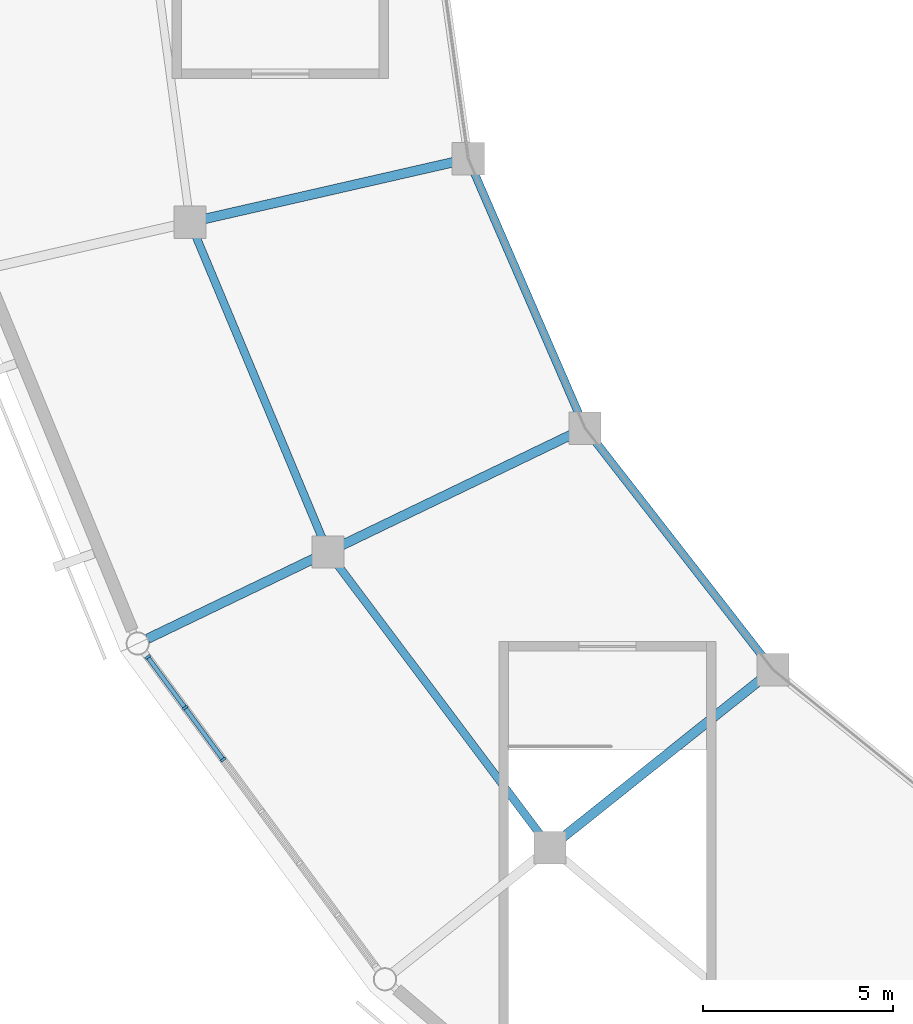
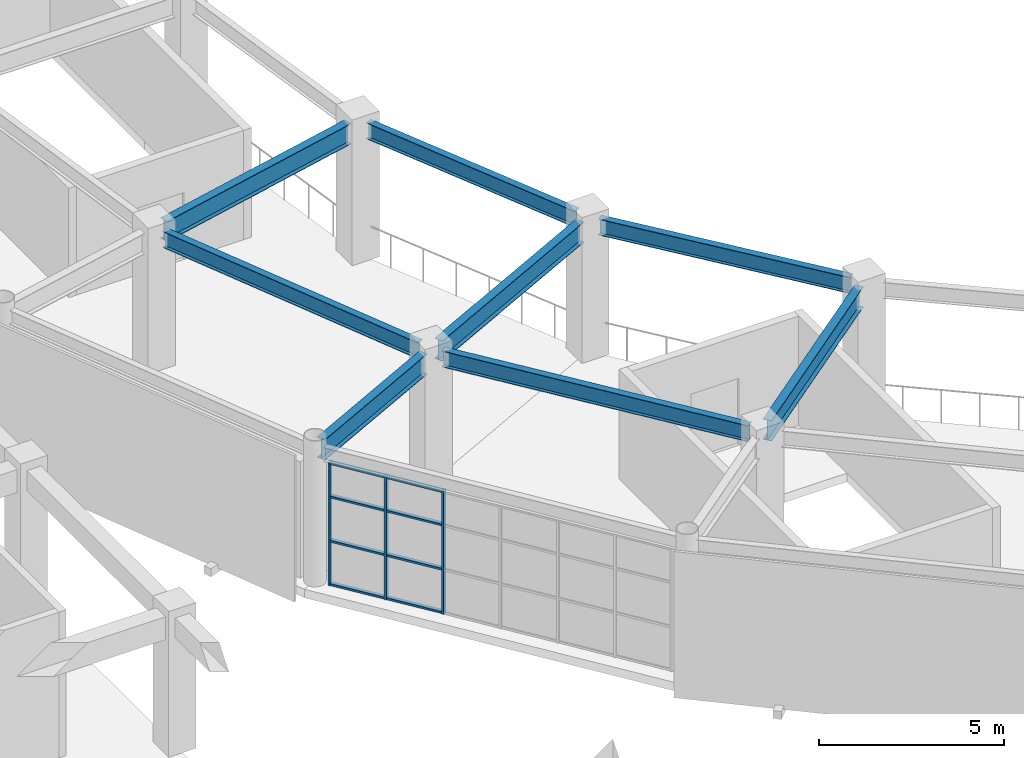
# One storey, part 24 of 112: 11 members, 8 beams, 1 element without a shape of its own.
"""IFC4 building model written with IfcOpenShell, lengths in metres."""

from ifc_helpers import new_model, si_unit, direction, frame, origin, origin_2d, place, context, subcontext, project, spatial, rectangle, i_section, extrude, material, material_profile, profile_set, type_object, element, aggregate, save


model = new_model("IFC4")

# Units and contexts
model_context = context("Model", 3, precision=1e-05, world=origin(), true_north=direction((0.0, 1.0)))
body_context = subcontext(model_context, "Body", "Model", "MODEL_VIEW")
ifc_project = project(units=[si_unit("LENGTHUNIT", "METRE"), si_unit("AREAUNIT", "SQUARE_METRE"), si_unit("VOLUMEUNIT", "CUBIC_METRE"), si_unit("PLANEANGLEUNIT", "RADIAN"), si_unit("MASSUNIT", "GRAM", prefix="KILO")], contexts=[model_context])

# Site, building, storey
site_placement = place(None, origin())
site = spatial("IfcSite", under=ifc_project, at=site_placement, CompositionType="ELEMENT")
building_placement = place(site_placement, origin())
building = spatial("IfcBuilding", under=site, at=building_placement, Name="Cuetzalor Civic Arena", CompositionType="ELEMENT")
storey_placement = place(building_placement, frame((0.0, 0.0, 11.39990234375)))
storey = spatial("IfcBuildingStorey", under=building, at=storey_placement, Name="L02", CompositionType="ELEMENT", Elevation=11.39990234375)

# Curtain wall, members
ifc_material_1 = material(Name="Anodised dark bronze aluminium and low-E solar glass", Category="aluminium")
curtain_wall_type = type_object("IfcCurtainWallType", Name="UnitisedCW_10150x4050", PredefinedType="USERDEFINED", material=ifc_material_1)
curtain_wall_placement = place(storey_placement, origin())
curtain_wall = element("IfcCurtainWall", 1, at=curtain_wall_placement, inside=storey, type_object=curtain_wall_type, Name="Drum Triangle Foyer Curtain Wall L02-039", ObjectType="UNITISED CURTAIN WALL", PredefinedType="USERDEFINED")
ifc_material_2 = material(Name="Anodised dark bronze aluminium", Category="aluminium")
ifc_material_profile_1 = material_profile(ifc_material_2, rectangle(XDim=0.06494140625, YDim=0.14990234375, at=origin_2d()), Name="ALU MULLION 65x150")
ifc_profile_set_1 = profile_set([ifc_material_profile_1], Name="Anodised dark bronze aluminium")
member_type_1 = type_object("IfcMemberType", Name="CurtainWallMullion_60x150", PredefinedType="MULLION", material=ifc_profile_set_1)
member_1_placement = place(storey_placement, frame((-46.90087890625, -23.2490234375, 0.0), z_axis=(0.0, 0.0, 1.0), x_axis=(-0.59292931222, 0.805254513002, 0.0)))
member_1 = element("IfcMember", 2, at=member_1_placement, type_object=member_type_1, Name="CW-12 mullion 5", PredefinedType="MULLION", context=body_context, shape_type="SweptSolid", body=[
    extrude(rectangle(XDim=0.06494140625, YDim=0.14990234375, at=origin_2d()), origin(), (0.0, 0.0, 1.0), 4.052978515625),
])
member_2_placement = place(storey_placement, frame((-47.9033203125, -21.8876953125, 0.0), z_axis=(0.0, 0.0, 1.0), x_axis=(-0.59292931222, 0.805254513002, 0.0)))
member_2 = element("IfcMember", 3, at=member_2_placement, type_object=member_type_1, Name="CW-12 mullion 6", PredefinedType="MULLION", context=body_context, shape_type="SweptSolid", body=[
    extrude(rectangle(XDim=0.06494140625, YDim=0.14990234375, at=origin_2d()), origin(), (0.0, 0.0, 1.0), 4.052978515625),
])
member_3_placement = place(storey_placement, frame((-48.886474609375, -20.552490234375, 0.0), z_axis=(0.0, 0.0, 1.0), x_axis=(-0.59292931222, 0.805254513002, 0.0)))
member_3 = element("IfcMember", 4, at=member_3_placement, type_object=member_type_1, Name="CW-12 mullion 7", PredefinedType="MULLION", context=body_context, shape_type="SweptSolid", body=[
    extrude(rectangle(XDim=0.06494140625, YDim=0.14990234375, at=origin_2d()), origin(), (0.0, 0.0, 1.0), 4.052978515625),
])
ifc_material_3 = material(Name="Anodised dark bronze aluminium", Category="aluminium")
ifc_material_profile_2 = material_profile(ifc_material_3, rectangle(XDim=0.1201171875, YDim=0.06494140625, at=origin_2d()), Name="ALU TRANSOM 65x120")
ifc_profile_set_2 = profile_set([ifc_material_profile_2], Name="Anodised dark bronze aluminium")
member_type_2 = type_object("IfcMemberType", Name="CurtainWallTransom_60x120", PredefinedType="USERDEFINED", material=ifc_profile_set_2)
member_4_placement = place(storey_placement, frame((-46.920166015625, -23.222900390625, 0.03271484375), z_axis=(-0.592912120819, 0.805267171183, 0.0), x_axis=(-0.805267171183, -0.592912120819, 0.0)))
member_4 = element("IfcMember", 5, at=member_4_placement, type_object=member_type_2, Name="CW-12 transom 5.1", ObjectType="TRANSOM", PredefinedType="USERDEFINED", context=body_context, shape_type="SweptSolid", body=[
    extrude(rectangle(XDim=0.1201171875, YDim=0.06494140625, at=origin_2d()), origin(), (0.0, 0.0, 1.0), 1.625732421875),
])
member_5_placement = place(storey_placement, frame((-46.920166015625, -23.222900390625, 1.458984375), z_axis=(-0.592912120819, 0.805267171183, 0.0), x_axis=(-0.805267171183, -0.592912120819, 0.0)))
member_5 = element("IfcMember", 6, at=member_5_placement, type_object=member_type_2, Name="CW-12 transom 5.2", ObjectType="TRANSOM", PredefinedType="USERDEFINED", context=body_context, shape_type="SweptSolid", body=[
    extrude(rectangle(XDim=0.1201171875, YDim=0.06494140625, at=origin_2d()), origin(), (0.0, 0.0, 1.0), 1.625732421875),
])
member_6_placement = place(storey_placement, frame((-46.920166015625, -23.222900390625, 2.918212890625), z_axis=(-0.592912120819, 0.805267171183, 0.0), x_axis=(-0.805267171183, -0.592912120819, 0.0)))
member_6 = element("IfcMember", 7, at=member_6_placement, type_object=member_type_2, Name="CW-12 transom 5.3", ObjectType="TRANSOM", PredefinedType="USERDEFINED", context=body_context, shape_type="SweptSolid", body=[
    extrude(rectangle(XDim=0.1201171875, YDim=0.06494140625, at=origin_2d()), origin(), (0.0, 0.0, 1.0), 1.625732421875),
])
member_7_placement = place(storey_placement, frame((-46.920166015625, -23.222900390625, 4.0205078125), z_axis=(-0.592912120819, 0.805267171183, 0.0), x_axis=(-0.805267171183, -0.592912120819, 0.0)))
member_7 = element("IfcMember", 8, at=member_7_placement, type_object=member_type_2, Name="CW-12 transom 5.4", ObjectType="TRANSOM", PredefinedType="USERDEFINED", context=body_context, shape_type="SweptSolid", body=[
    extrude(rectangle(XDim=0.1201171875, YDim=0.06494140625, at=origin_2d()), origin(), (0.0, 0.0, 1.0), 1.625732421875),
])
member_8_placement = place(storey_placement, frame((-47.922607421875, -21.861328125, 0.03271484375), z_axis=(-0.592963756922, 0.805229149359, 0.0), x_axis=(-0.805229149359, -0.592963756922, 0.0)))
member_8 = element("IfcMember", 9, at=member_8_placement, type_object=member_type_2, Name="CW-12 transom 6.1", ObjectType="TRANSOM", PredefinedType="USERDEFINED", context=body_context, shape_type="SweptSolid", body=[
    extrude(rectangle(XDim=0.1201171875, YDim=0.06494140625, at=origin_2d()), origin(), (0.0, 0.0, 1.0), 1.593017578125),
])
member_9_placement = place(storey_placement, frame((-47.922607421875, -21.861328125, 1.458984375), z_axis=(-0.592963756922, 0.805229149359, 0.0), x_axis=(-0.805229149359, -0.592963756922, 0.0)))
member_9 = element("IfcMember", 10, at=member_9_placement, type_object=member_type_2, Name="CW-12 transom 6.2", ObjectType="TRANSOM", PredefinedType="USERDEFINED", context=body_context, shape_type="SweptSolid", body=[
    extrude(rectangle(XDim=0.1201171875, YDim=0.06494140625, at=origin_2d()), origin(), (0.0, 0.0, 1.0), 1.593017578125),
])
member_10_placement = place(storey_placement, frame((-47.922607421875, -21.861328125, 2.918212890625), z_axis=(-0.592963756922, 0.805229149359, 0.0), x_axis=(-0.805229149359, -0.592963756922, 0.0)))
member_10 = element("IfcMember", 11, at=member_10_placement, type_object=member_type_2, Name="CW-12 transom 6.3", ObjectType="TRANSOM", PredefinedType="USERDEFINED", context=body_context, shape_type="SweptSolid", body=[
    extrude(rectangle(XDim=0.1201171875, YDim=0.06494140625, at=origin_2d()), origin(), (0.0, 0.0, 1.0), 1.593017578125),
])
member_11_placement = place(storey_placement, frame((-47.922607421875, -21.861328125, 4.0205078125), z_axis=(-0.592963756922, 0.805229149359, 0.0), x_axis=(-0.805229149359, -0.592963756922, 0.0)))
member_11 = element("IfcMember", 12, at=member_11_placement, type_object=member_type_2, Name="CW-12 transom 6.4", ObjectType="TRANSOM", PredefinedType="USERDEFINED", context=body_context, shape_type="SweptSolid", body=[
    extrude(rectangle(XDim=0.1201171875, YDim=0.06494140625, at=origin_2d()), origin(), (0.0, 0.0, 1.0), 1.593017578125),
])
aggregate(curtain_wall, [member_1, member_2, member_3, member_4, member_5, member_6, member_7, member_8, member_9, member_10, member_11])

# Beams
ifc_material_4 = material(Name="Steel S355", Category="steel")
ifc_material_profile_3 = material_profile(ifc_material_4, i_section(OverallWidth=0.208984375, OverallDepth=0.532958984375, WebThickness=0.01025390625, FlangeThickness=0.015625, at=origin_2d()), Name="W530x92")
ifc_profile_set_3 = profile_set([ifc_material_profile_3], Name="Steel S355")
beam_type_1 = type_object("IfcBeamType", Name="SteelCollarGirder_W530", PredefinedType="BEAM", material=ifc_profile_set_3)
beam_1_placement = place(storey_placement, frame((-47.628662109375, -9.46484375, 4.253662109375), z_axis=(0.385813116722, -0.922576955579, 0.0), x_axis=(0.922576955579, 0.385813116722, 0.0)))
element("IfcBeam", 13, at=beam_1_placement, inside=storey, type_object=beam_type_1, Name="Drum Concourse Ring Girder L02-S16", PredefinedType="BEAM", context=body_context, shape_type="SweptSolid", body=[
    extrude(i_section(OverallWidth=0.208984375, OverallDepth=0.532958984375, WebThickness=0.01025390625, FlangeThickness=0.015625, at=origin_2d()), origin(), (0.0, 0.0, 1.0), 8.65283203125),
])
beam_2_placement = place(storey_placement, frame((-40.31640625, -7.784912109375, 4.253662109375), z_axis=(0.39772689401, -0.917503851644, 0.0), x_axis=(0.917503851644, 0.39772689401, 0.0)))
element("IfcBeam", 14, at=beam_2_placement, inside=storey, type_object=beam_type_1, Name="Bowl Inner Ring Girder L02-S16", PredefinedType="BEAM", context=body_context, shape_type="SweptSolid", body=[
    extrude(i_section(OverallWidth=0.208984375, OverallDepth=0.532958984375, WebThickness=0.01025390625, FlangeThickness=0.015625, at=origin_2d()), origin(), (0.0, 0.0, 1.0), 6.9970703125),
])
beam_3_placement = place(storey_placement, frame((-43.92529296875, -18.085205078125, 4.253662109375), z_axis=(0.600491348624, -0.799631252658, 0.0), x_axis=(0.799631252658, 0.600491348624, 0.0)))
element("IfcBeam", 15, at=beam_3_placement, inside=storey, type_object=beam_type_1, Name="Drum Concourse Ring Girder L02-S17", PredefinedType="BEAM", context=body_context, shape_type="SweptSolid", body=[
    extrude(i_section(OverallWidth=0.208984375, OverallDepth=0.532958984375, WebThickness=0.01025390625, FlangeThickness=0.015625, at=origin_2d()), origin(), (0.0, 0.0, 1.0), 8.9814453125),
])
beam_4_placement = place(storey_placement, frame((-37.169189453125, -14.819091796875, 4.253662109375), z_axis=(0.614261103096, -0.789102843249, 0.0), x_axis=(0.789102843249, 0.614261103096, 0.0)))
element("IfcBeam", 16, at=beam_4_placement, inside=storey, type_object=beam_type_1, Name="Bowl Inner Ring Girder L02-S17", PredefinedType="BEAM", context=body_context, shape_type="SweptSolid", body=[
    extrude(i_section(OverallWidth=0.208984375, OverallDepth=0.532958984375, WebThickness=0.01025390625, FlangeThickness=0.015625, at=origin_2d()), origin(), (0.0, 0.0, 1.0), 7.329345703125),
])
ifc_material_5 = material(Name="Steel S355", Category="steel")
ifc_material_profile_4 = material_profile(ifc_material_5, i_section(OverallWidth=0.2529296875, OverallDepth=0.677978515625, WebThickness=0.01171875, FlangeThickness=0.016357421875, at=origin_2d()), Name="W690x125")
ifc_profile_set_4 = profile_set([ifc_material_profile_4], Name="Steel S355")
beam_type_2 = type_object("IfcBeamType", Name="SteelPrimaryGirder_W690", PredefinedType="BEAM", material=ifc_profile_set_4)
beam_5_placement = place(storey_placement, frame((-40.810546875, -7.53466796875, 4.18115234375), z_axis=(-0.974931535482, -0.222505058645, 0.0), x_axis=(0.222505058645, -0.974931535482, 0.0)))
element("IfcBeam", 17, at=beam_5_placement, inside=storey, type_object=beam_type_2, Name="Drum Inner Radial Girder L02-R16", PredefinedType="BEAM", context=body_context, shape_type="SweptSolid", body=[
    extrude(i_section(OverallWidth=0.2529296875, OverallDepth=0.677978515625, WebThickness=0.01171875, FlangeThickness=0.016357421875, at=origin_2d()), origin(), (0.0, 0.0, 1.0), 6.77978515625),
])
beam_6_placement = place(storey_placement, frame((-44.4716796875, -17.9453125, 4.18115234375), z_axis=(-0.900964883231, -0.433892013275, 0.0), x_axis=(0.433892013275, -0.900964883231, 0.0)))
element("IfcBeam", 18, at=beam_6_placement, inside=storey, type_object=beam_type_2, Name="Drum Radial Girder L02-R17", PredefinedType="BEAM", context=body_context, shape_type="SweptSolid", body=[
    extrude(i_section(OverallWidth=0.2529296875, OverallDepth=0.677978515625, WebThickness=0.01171875, FlangeThickness=0.016357421875, at=origin_2d()), origin(), (0.0, 0.0, 1.0), 4.900390625),
])
for number, where, z_axis, x_axis, name in (
    (19, (-37.714599609375, -14.69140625, 4.18115234375), (-0.900975603874, -0.433869751452, 0.0), (0.433869751452, -0.900975603874, 0.0), "Drum Inner Radial Girder L02-R17"),
    (20, (-32.7275390625, -21.111328125, 4.18115234375), (-0.781826957604, -0.623495475816, 0.0), (0.623495475816, -0.781826957604, 0.0), "Drum Inner Radial Girder L02-R18"),
):
    element("IfcBeam", number, at=place(storey_placement, frame(where, z_axis=z_axis, x_axis=x_axis)), inside=storey, type_object=beam_type_2, Name=name, PredefinedType="BEAM", context=body_context, shape_type="SweptSolid", body=[
        extrude(i_section(OverallWidth=0.2529296875, OverallDepth=0.677978515625, WebThickness=0.01171875, FlangeThickness=0.016357421875, at=origin_2d()), origin(), (0.0, 0.0, 1.0), 6.780029296875),
    ])

save(model, "model.ifc")
